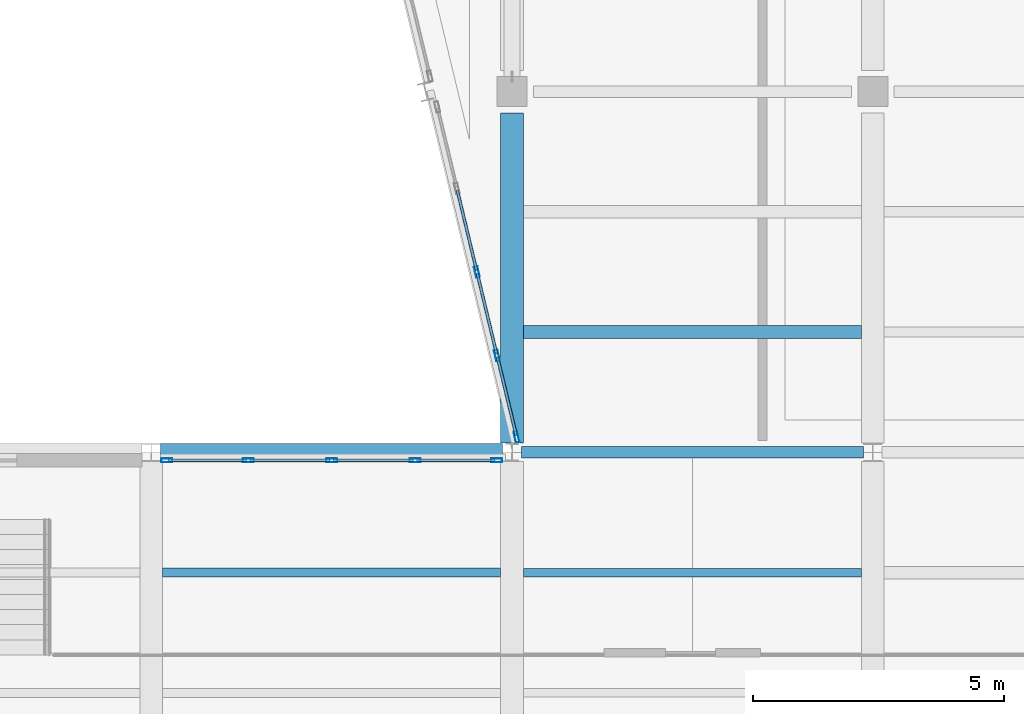
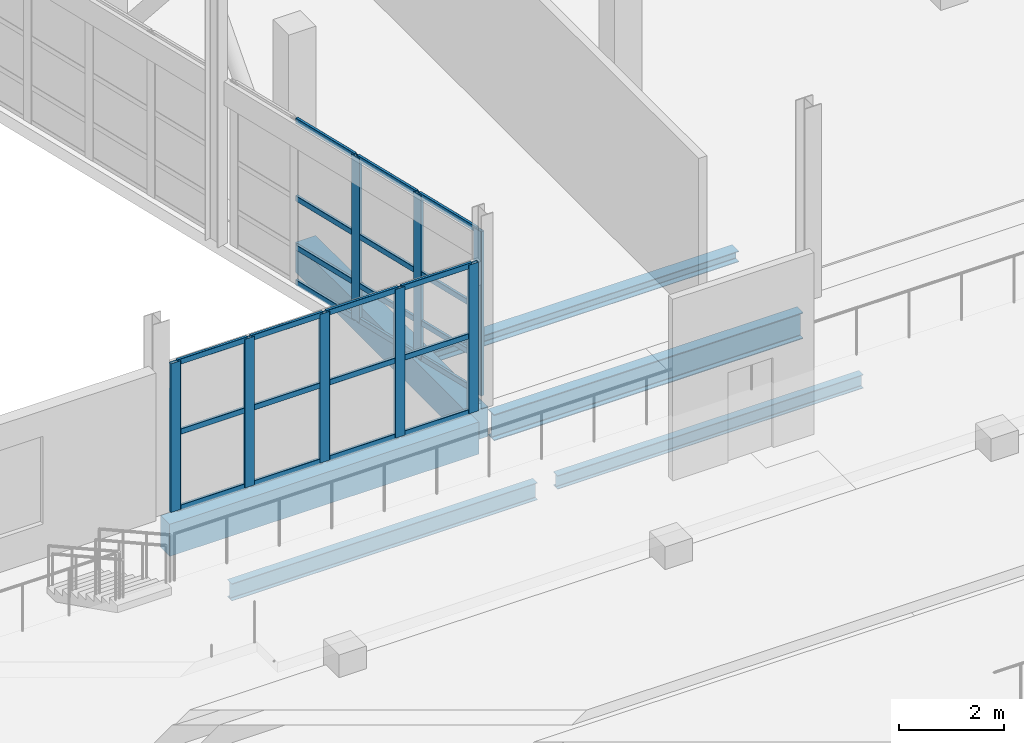
# One storey, part 59 of 123: 32 members, 6 beams, 2 elements without a shape of their own.
"""IFC4 building model written with IfcOpenShell, lengths in metres."""

from ifc_helpers import new_model, si_unit, direction, frame, origin, origin_2d, place, context, subcontext, project, spatial, rectangle, hollow_rectangle, i_section, extrude, material, material_profile, profile_set, type_object, element, aggregate, save


model = new_model("IFC4")

# Units and contexts
model_context = context("Model", 3, precision=1e-05, world=origin(), true_north=direction((0.0, 1.0)))
body_context = subcontext(model_context, "Body", "Model", "MODEL_VIEW")
ifc_project = project(units=[si_unit("LENGTHUNIT", "METRE"), si_unit("AREAUNIT", "SQUARE_METRE"), si_unit("VOLUMEUNIT", "CUBIC_METRE"), si_unit("PLANEANGLEUNIT", "RADIAN"), si_unit("MASSUNIT", "GRAM", prefix="KILO")], contexts=[model_context])

# Site, building, storey
site_placement = place(None, origin())
site = spatial("IfcSite", under=ifc_project, at=site_placement, CompositionType="ELEMENT")
building_placement = place(site_placement, origin())
building = spatial("IfcBuilding", under=site, at=building_placement, Name="Kalmorath City Hall", CompositionType="ELEMENT")
storey_placement = place(building_placement, frame((0.0, 0.0, 10.199951171875)))
storey = spatial("IfcBuildingStorey", under=building, at=storey_placement, Name="L02", CompositionType="ELEMENT", Elevation=10.199951171875)

# Beam
ifc_material_1 = material(Name="Concrete C40/50", Category="concrete")
ifc_material_profile_1 = material_profile(ifc_material_1, rectangle(XDim=0.449951171875, YDim=0.699951171875, at=origin_2d()), Name="RC-BM-450X700")
ifc_profile_set_1 = profile_set([ifc_material_profile_1], Name="Concrete C40/50")
beam_type_1 = type_object("IfcBeamType", Name="Concrete floor beam 450x700", PredefinedType="BEAM", material=ifc_profile_set_1)
beam_1_placement = place(storey_placement, frame((136.800048828125, 43.385986328125, -0.634033203125), z_axis=(0.0, 1.0, 0.0), x_axis=(-1.0, 0.0, 0.0)))
element("IfcBeam", 1, at=beam_1_placement, inside=storey, type_object=beam_type_1, Name="L02 girder CB4 Y20/7-8", PredefinedType="BEAM", context=body_context, shape_type="SweptSolid", body=[
    extrude(rectangle(XDim=0.449951171875, YDim=0.699951171875, at=origin_2d()), origin(), (0.0, 0.0, 1.0), 6.589111328125),
])

# Curtain wall, members
ifc_material_2 = material(Name="Anodised aluminium and laminated glass", Category="aluminium")
curtain_wall_type_1 = type_object("IfcCurtainWallType", Name="Unitised hurricane curtain wall 6656x3471 M1850", PredefinedType="NOTDEFINED", material=ifc_material_2)
curtain_wall_1_placement = place(storey_placement, origin())
curtain_wall_1 = element("IfcCurtainWall", 2, at=curtain_wall_1_placement, inside=storey, type_object=curtain_wall_type_1, Name="L02 curtain wall CW-67X35M18 #124", PredefinedType="NOTDEFINED")
ifc_material_3 = material(Name="Anodised aluminium framing", Category="aluminium")
ifc_material_profile_2 = material_profile(ifc_material_3, hollow_rectangle(XDim=0.06005859375, YDim=0.1298828125, WallThickness=0.00341796875, InnerFilletRadius=0.00341796875, OuterFilletRadius=0.007080078125, at=origin_2d()), Name="ALU-TRN-130X60X3.5")
ifc_profile_set_2 = profile_set([ifc_material_profile_2], Name="Anodised aluminium framing")
member_type_1 = type_object("IfcMemberType", Name="Curtain-wall courtyard transom 130x60", PredefinedType="USERDEFINED", material=ifc_profile_set_2)
member_1_placement = place(storey_placement, frame((129.949462890625, 43.0400390625, 0.030029296875), z_axis=(1.0, 0.0, 0.0), x_axis=(0.0, 1.0, 0.0)))
member_1 = element("IfcMember", 3, at=member_1_placement, type_object=member_type_1, Name="CW-67X35M18 transom 1.1", ObjectType="TRANSOM", PredefinedType="USERDEFINED", context=body_context, shape_type="SweptSolid", body=[
    extrude(hollow_rectangle(XDim=0.06005859375, YDim=0.1298828125, WallThickness=0.00341796875, InnerFilletRadius=0.00341796875, OuterFilletRadius=0.007080078125, at=origin_2d()), origin(), (0.0, 0.0, 1.0), 1.551513671875),
])
member_2_placement = place(storey_placement, frame((129.949462890625, 43.0400390625, 1.804931640625), z_axis=(1.0, 0.0, 0.0), x_axis=(0.0, 1.0, 0.0)))
member_2 = element("IfcMember", 4, at=member_2_placement, type_object=member_type_1, Name="CW-67X35M18 transom 1.2", ObjectType="TRANSOM", PredefinedType="USERDEFINED", context=body_context, shape_type="SweptSolid", body=[
    extrude(hollow_rectangle(XDim=0.06005859375, YDim=0.1298828125, WallThickness=0.00341796875, InnerFilletRadius=0.00341796875, OuterFilletRadius=0.007080078125, at=origin_2d()), origin(), (0.0, 0.0, 1.0), 1.551513671875),
])
member_3_placement = place(storey_placement, frame((129.949462890625, 43.0400390625, 3.441162109375), z_axis=(1.0, 0.0, 0.0), x_axis=(0.0, 1.0, 0.0)))
member_3 = element("IfcMember", 5, at=member_3_placement, type_object=member_type_1, Name="CW-67X35M18 transom 1.3", ObjectType="TRANSOM", PredefinedType="USERDEFINED", context=body_context, shape_type="SweptSolid", body=[
    extrude(hollow_rectangle(XDim=0.06005859375, YDim=0.1298828125, WallThickness=0.00341796875, InnerFilletRadius=0.00341796875, OuterFilletRadius=0.007080078125, at=origin_2d()), origin(), (0.0, 0.0, 1.0), 1.551513671875),
])
member_4_placement = place(storey_placement, frame((131.575927734375, 43.0400390625, 0.030029296875), z_axis=(1.0, 0.0, 0.0), x_axis=(0.0, 1.0, 0.0)))
member_4 = element("IfcMember", 6, at=member_4_placement, type_object=member_type_1, Name="CW-67X35M18 transom 2.1", ObjectType="TRANSOM", PredefinedType="USERDEFINED", context=body_context, shape_type="SweptSolid", body=[
    extrude(hollow_rectangle(XDim=0.06005859375, YDim=0.1298828125, WallThickness=0.00341796875, InnerFilletRadius=0.00341796875, OuterFilletRadius=0.007080078125, at=origin_2d()), origin(), (0.0, 0.0, 1.0), 1.5888671875),
])
member_5_placement = place(storey_placement, frame((131.575927734375, 43.0400390625, 1.804931640625), z_axis=(1.0, 0.0, 0.0), x_axis=(0.0, 1.0, 0.0)))
member_5 = element("IfcMember", 7, at=member_5_placement, type_object=member_type_1, Name="CW-67X35M18 transom 2.2", ObjectType="TRANSOM", PredefinedType="USERDEFINED", context=body_context, shape_type="SweptSolid", body=[
    extrude(hollow_rectangle(XDim=0.06005859375, YDim=0.1298828125, WallThickness=0.00341796875, InnerFilletRadius=0.00341796875, OuterFilletRadius=0.007080078125, at=origin_2d()), origin(), (0.0, 0.0, 1.0), 1.5888671875),
])
member_6_placement = place(storey_placement, frame((131.575927734375, 43.0400390625, 3.441162109375), z_axis=(1.0, 0.0, 0.0), x_axis=(0.0, 1.0, 0.0)))
member_6 = element("IfcMember", 8, at=member_6_placement, type_object=member_type_1, Name="CW-67X35M18 transom 2.3", ObjectType="TRANSOM", PredefinedType="USERDEFINED", context=body_context, shape_type="SweptSolid", body=[
    extrude(hollow_rectangle(XDim=0.06005859375, YDim=0.1298828125, WallThickness=0.00341796875, InnerFilletRadius=0.00341796875, OuterFilletRadius=0.007080078125, at=origin_2d()), origin(), (0.0, 0.0, 1.0), 1.5888671875),
])
member_7_placement = place(storey_placement, frame((133.23974609375, 43.0400390625, 0.030029296875), z_axis=(1.0, 0.0, 0.0), x_axis=(0.0, 1.0, 0.0)))
member_7 = element("IfcMember", 9, at=member_7_placement, type_object=member_type_1, Name="CW-67X35M18 transom 3.1", ObjectType="TRANSOM", PredefinedType="USERDEFINED", context=body_context, shape_type="SweptSolid", body=[
    extrude(hollow_rectangle(XDim=0.06005859375, YDim=0.1298828125, WallThickness=0.00341796875, InnerFilletRadius=0.00341796875, OuterFilletRadius=0.007080078125, at=origin_2d()), origin(), (0.0, 0.0, 1.0), 1.5888671875),
])
member_8_placement = place(storey_placement, frame((133.23974609375, 43.0400390625, 1.804931640625), z_axis=(1.0, 0.0, 0.0), x_axis=(0.0, 1.0, 0.0)))
member_8 = element("IfcMember", 10, at=member_8_placement, type_object=member_type_1, Name="CW-67X35M18 transom 3.2", ObjectType="TRANSOM", PredefinedType="USERDEFINED", context=body_context, shape_type="SweptSolid", body=[
    extrude(hollow_rectangle(XDim=0.06005859375, YDim=0.1298828125, WallThickness=0.00341796875, InnerFilletRadius=0.00341796875, OuterFilletRadius=0.007080078125, at=origin_2d()), origin(), (0.0, 0.0, 1.0), 1.5888671875),
])
member_9_placement = place(storey_placement, frame((133.23974609375, 43.0400390625, 3.441162109375), z_axis=(1.0, 0.0, 0.0), x_axis=(0.0, 1.0, 0.0)))
member_9 = element("IfcMember", 11, at=member_9_placement, type_object=member_type_1, Name="CW-67X35M18 transom 3.3", ObjectType="TRANSOM", PredefinedType="USERDEFINED", context=body_context, shape_type="SweptSolid", body=[
    extrude(hollow_rectangle(XDim=0.06005859375, YDim=0.1298828125, WallThickness=0.00341796875, InnerFilletRadius=0.00341796875, OuterFilletRadius=0.007080078125, at=origin_2d()), origin(), (0.0, 0.0, 1.0), 1.5888671875),
])
member_10_placement = place(storey_placement, frame((134.903564453125, 43.0400390625, 0.030029296875), z_axis=(1.0, 0.0, 0.0), x_axis=(0.0, 1.0, 0.0)))
member_10 = element("IfcMember", 12, at=member_10_placement, type_object=member_type_1, Name="CW-67X35M18 transom 4.1", ObjectType="TRANSOM", PredefinedType="USERDEFINED", context=body_context, shape_type="SweptSolid", body=[
    extrude(hollow_rectangle(XDim=0.06005859375, YDim=0.1298828125, WallThickness=0.00341796875, InnerFilletRadius=0.00341796875, OuterFilletRadius=0.007080078125, at=origin_2d()), origin(), (0.0, 0.0, 1.0), 1.551513671875),
])
member_11_placement = place(storey_placement, frame((134.903564453125, 43.0400390625, 1.804931640625), z_axis=(1.0, 0.0, 0.0), x_axis=(0.0, 1.0, 0.0)))
member_11 = element("IfcMember", 13, at=member_11_placement, type_object=member_type_1, Name="CW-67X35M18 transom 4.2", ObjectType="TRANSOM", PredefinedType="USERDEFINED", context=body_context, shape_type="SweptSolid", body=[
    extrude(hollow_rectangle(XDim=0.06005859375, YDim=0.1298828125, WallThickness=0.00341796875, InnerFilletRadius=0.00341796875, OuterFilletRadius=0.007080078125, at=origin_2d()), origin(), (0.0, 0.0, 1.0), 1.551513671875),
])
member_12_placement = place(storey_placement, frame((134.903564453125, 43.0400390625, 3.441162109375), z_axis=(1.0, 0.0, 0.0), x_axis=(0.0, 1.0, 0.0)))
member_12 = element("IfcMember", 14, at=member_12_placement, type_object=member_type_1, Name="CW-67X35M18 transom 4.3", ObjectType="TRANSOM", PredefinedType="USERDEFINED", context=body_context, shape_type="SweptSolid", body=[
    extrude(hollow_rectangle(XDim=0.06005859375, YDim=0.1298828125, WallThickness=0.00341796875, InnerFilletRadius=0.00341796875, OuterFilletRadius=0.007080078125, at=origin_2d()), origin(), (0.0, 0.0, 1.0), 1.551513671875),
])

ifc_material_4 = material(Name="Anodised aluminium and laminated glass", Category="aluminium")
curtain_wall_type_2 = type_object("IfcCurtainWallType", Name="Unitised hurricane curtain wall 6849x3835 M1850", PredefinedType="NOTDEFINED", material=ifc_material_4)
curtain_wall_2_placement = place(storey_placement, origin())
curtain_wall_2 = element("IfcCurtainWall", 15, at=curtain_wall_2_placement, inside=storey, type_object=curtain_wall_type_2, Name="L02 curtain wall CW-68X38M18 #125", PredefinedType="NOTDEFINED")
member_13_placement = place(storey_placement, frame((136.882080078125, 43.54296875, 0.030029296875), z_axis=(-0.233332550128, 0.972396997656, 0.0), x_axis=(-0.972396997656, -0.233332550128, 0.0)))
member_13 = element("IfcMember", 16, at=member_13_placement, type_object=member_type_1, Name="CW-68X38M18 transom 1.1", ObjectType="TRANSOM", PredefinedType="USERDEFINED", context=body_context, shape_type="SweptSolid", body=[
    extrude(hollow_rectangle(XDim=0.06005859375, YDim=0.1298828125, WallThickness=0.00341796875, InnerFilletRadius=0.00341796875, OuterFilletRadius=0.007080078125, at=origin_2d()), origin(), (0.0, 0.0, 1.0), 1.599853515625),
])
member_14_placement = place(storey_placement, frame((136.882080078125, 43.54296875, 0.85009765625), z_axis=(-0.233332550128, 0.972396997656, 0.0), x_axis=(-0.972396997656, -0.233332550128, 0.0)))
member_14 = element("IfcMember", 17, at=member_14_placement, type_object=member_type_1, Name="CW-68X38M18 transom 1.2", ObjectType="TRANSOM", PredefinedType="USERDEFINED", context=body_context, shape_type="SweptSolid", body=[
    extrude(hollow_rectangle(XDim=0.06005859375, YDim=0.1298828125, WallThickness=0.00341796875, InnerFilletRadius=0.00341796875, OuterFilletRadius=0.007080078125, at=origin_2d()), origin(), (0.0, 0.0, 1.0), 1.599853515625),
])
member_15_placement = place(storey_placement, frame((136.882080078125, 43.54296875, 1.994140625), z_axis=(-0.233332550128, 0.972396997656, 0.0), x_axis=(-0.972396997656, -0.233332550128, 0.0)))
member_15 = element("IfcMember", 18, at=member_15_placement, type_object=member_type_1, Name="CW-68X38M18 transom 1.3", ObjectType="TRANSOM", PredefinedType="USERDEFINED", context=body_context, shape_type="SweptSolid", body=[
    extrude(hollow_rectangle(XDim=0.06005859375, YDim=0.1298828125, WallThickness=0.00341796875, InnerFilletRadius=0.00341796875, OuterFilletRadius=0.007080078125, at=origin_2d()), origin(), (0.0, 0.0, 1.0), 1.599853515625),
])
member_16_placement = place(storey_placement, frame((136.882080078125, 43.54296875, 3.804931640625), z_axis=(-0.233332550128, 0.972396997656, 0.0), x_axis=(-0.972396997656, -0.233332550128, 0.0)))
member_16 = element("IfcMember", 19, at=member_16_placement, type_object=member_type_1, Name="CW-68X38M18 transom 1.4", ObjectType="TRANSOM", PredefinedType="USERDEFINED", context=body_context, shape_type="SweptSolid", body=[
    extrude(hollow_rectangle(XDim=0.06005859375, YDim=0.1298828125, WallThickness=0.00341796875, InnerFilletRadius=0.00341796875, OuterFilletRadius=0.007080078125, at=origin_2d()), origin(), (0.0, 0.0, 1.0), 1.599853515625),
])
member_17_placement = place(storey_placement, frame((136.4912109375, 45.17138671875, 0.030029296875), z_axis=(-0.233508300868, 0.972354808404, 0.0), x_axis=(-0.972354808404, -0.233508300868, 0.0)))
member_17 = element("IfcMember", 20, at=member_17_placement, type_object=member_type_1, Name="CW-68X38M18 transom 2.1", ObjectType="TRANSOM", PredefinedType="USERDEFINED", context=body_context, shape_type="SweptSolid", body=[
    extrude(hollow_rectangle(XDim=0.06005859375, YDim=0.1298828125, WallThickness=0.00341796875, InnerFilletRadius=0.00341796875, OuterFilletRadius=0.007080078125, at=origin_2d()), origin(), (0.0, 0.0, 1.0), 1.63720703125),
])
member_18_placement = place(storey_placement, frame((136.4912109375, 45.17138671875, 0.85009765625), z_axis=(-0.233508300868, 0.972354808404, 0.0), x_axis=(-0.972354808404, -0.233508300868, 0.0)))
member_18 = element("IfcMember", 21, at=member_18_placement, type_object=member_type_1, Name="CW-68X38M18 transom 2.2", ObjectType="TRANSOM", PredefinedType="USERDEFINED", context=body_context, shape_type="SweptSolid", body=[
    extrude(hollow_rectangle(XDim=0.06005859375, YDim=0.1298828125, WallThickness=0.00341796875, InnerFilletRadius=0.00341796875, OuterFilletRadius=0.007080078125, at=origin_2d()), origin(), (0.0, 0.0, 1.0), 1.63720703125),
])
member_19_placement = place(storey_placement, frame((136.4912109375, 45.17138671875, 1.994140625), z_axis=(-0.233508300868, 0.972354808404, 0.0), x_axis=(-0.972354808404, -0.233508300868, 0.0)))
member_19 = element("IfcMember", 22, at=member_19_placement, type_object=member_type_1, Name="CW-68X38M18 transom 2.3", ObjectType="TRANSOM", PredefinedType="USERDEFINED", context=body_context, shape_type="SweptSolid", body=[
    extrude(hollow_rectangle(XDim=0.06005859375, YDim=0.1298828125, WallThickness=0.00341796875, InnerFilletRadius=0.00341796875, OuterFilletRadius=0.007080078125, at=origin_2d()), origin(), (0.0, 0.0, 1.0), 1.63720703125),
])
member_20_placement = place(storey_placement, frame((136.4912109375, 45.17138671875, 3.804931640625), z_axis=(-0.233508300868, 0.972354808404, 0.0), x_axis=(-0.972354808404, -0.233508300868, 0.0)))
member_20 = element("IfcMember", 23, at=member_20_placement, type_object=member_type_1, Name="CW-68X38M18 transom 2.4", ObjectType="TRANSOM", PredefinedType="USERDEFINED", context=body_context, shape_type="SweptSolid", body=[
    extrude(hollow_rectangle(XDim=0.06005859375, YDim=0.1298828125, WallThickness=0.00341796875, InnerFilletRadius=0.00341796875, OuterFilletRadius=0.007080078125, at=origin_2d()), origin(), (0.0, 0.0, 1.0), 1.63720703125),
])
member_21_placement = place(storey_placement, frame((136.091552734375, 46.83642578125, 0.030029296875), z_axis=(-0.233508300868, 0.972354808404, 0.0), x_axis=(-0.972354808404, -0.233508300868, 0.0)))
member_21 = element("IfcMember", 24, at=member_21_placement, type_object=member_type_1, Name="CW-68X38M18 transom 3.1", ObjectType="TRANSOM", PredefinedType="USERDEFINED", context=body_context, shape_type="SweptSolid", body=[
    extrude(hollow_rectangle(XDim=0.06005859375, YDim=0.1298828125, WallThickness=0.00341796875, InnerFilletRadius=0.00341796875, OuterFilletRadius=0.007080078125, at=origin_2d()), origin(), (0.0, 0.0, 1.0), 1.63720703125),
])
member_22_placement = place(storey_placement, frame((136.091552734375, 46.83642578125, 0.85009765625), z_axis=(-0.233508300868, 0.972354808404, 0.0), x_axis=(-0.972354808404, -0.233508300868, 0.0)))
member_22 = element("IfcMember", 25, at=member_22_placement, type_object=member_type_1, Name="CW-68X38M18 transom 3.2", ObjectType="TRANSOM", PredefinedType="USERDEFINED", context=body_context, shape_type="SweptSolid", body=[
    extrude(hollow_rectangle(XDim=0.06005859375, YDim=0.1298828125, WallThickness=0.00341796875, InnerFilletRadius=0.00341796875, OuterFilletRadius=0.007080078125, at=origin_2d()), origin(), (0.0, 0.0, 1.0), 1.63720703125),
])
member_23_placement = place(storey_placement, frame((136.091552734375, 46.83642578125, 1.994140625), z_axis=(-0.233508300868, 0.972354808404, 0.0), x_axis=(-0.972354808404, -0.233508300868, 0.0)))
member_23 = element("IfcMember", 26, at=member_23_placement, type_object=member_type_1, Name="CW-68X38M18 transom 3.3", ObjectType="TRANSOM", PredefinedType="USERDEFINED", context=body_context, shape_type="SweptSolid", body=[
    extrude(hollow_rectangle(XDim=0.06005859375, YDim=0.1298828125, WallThickness=0.00341796875, InnerFilletRadius=0.00341796875, OuterFilletRadius=0.007080078125, at=origin_2d()), origin(), (0.0, 0.0, 1.0), 1.63720703125),
])
member_24_placement = place(storey_placement, frame((136.091552734375, 46.83642578125, 3.804931640625), z_axis=(-0.233508300868, 0.972354808404, 0.0), x_axis=(-0.972354808404, -0.233508300868, 0.0)))
member_24 = element("IfcMember", 27, at=member_24_placement, type_object=member_type_1, Name="CW-68X38M18 transom 3.4", ObjectType="TRANSOM", PredefinedType="USERDEFINED", context=body_context, shape_type="SweptSolid", body=[
    extrude(hollow_rectangle(XDim=0.06005859375, YDim=0.1298828125, WallThickness=0.00341796875, InnerFilletRadius=0.00341796875, OuterFilletRadius=0.007080078125, at=origin_2d()), origin(), (0.0, 0.0, 1.0), 1.63720703125),
])

# Member
ifc_material_5 = material(Name="Anodised aluminium framing", Category="aluminium")
ifc_material_profile_3 = material_profile(ifc_material_5, hollow_rectangle(XDim=0.074951171875, YDim=0.219970703125, WallThickness=0.00390625, InnerFilletRadius=0.00390625, OuterFilletRadius=0.008056640625, at=origin_2d()), Name="ALU-MUL-220X75X4")
ifc_profile_set_3 = profile_set([ifc_material_profile_3], Name="Anodised aluminium framing")
member_type_2 = type_object("IfcMemberType", Name="Curtain-wall primary mullion 220x75", PredefinedType="MULLION", material=ifc_profile_set_3)
member_25_placement = place(storey_placement, frame((129.912109375, 43.0400390625, 0.0), z_axis=(0.0, 0.0, 1.0), x_axis=(0.0, 1.0, 0.0)))
member_25 = element("IfcMember", 28, at=member_25_placement, type_object=member_type_2, Name="CW-67X35M18 mullion 1", PredefinedType="MULLION", context=body_context, shape_type="SweptSolid", body=[
    extrude(hollow_rectangle(XDim=0.074951171875, YDim=0.219970703125, WallThickness=0.00390625, InnerFilletRadius=0.00390625, OuterFilletRadius=0.008056640625, at=origin_2d()), origin(), (0.0, 0.0, 1.0), 3.470947265625),
])

member_26_placement = place(storey_placement, frame((131.538330078125, 43.0400390625, 0.0), z_axis=(0.0, 0.0, 1.0), x_axis=(0.0, 1.0, 0.0)))
member_26 = element("IfcMember", 29, at=member_26_placement, type_object=member_type_2, Name="CW-67X35M18 mullion 2", PredefinedType="MULLION", context=body_context, shape_type="SweptSolid", body=[
    extrude(hollow_rectangle(XDim=0.074951171875, YDim=0.219970703125, WallThickness=0.00390625, InnerFilletRadius=0.00390625, OuterFilletRadius=0.008056640625, at=origin_2d()), origin(), (0.0, 0.0, 1.0), 3.470947265625),
])

member_27_placement = place(storey_placement, frame((133.2021484375, 43.0400390625, 0.0), z_axis=(0.0, 0.0, 1.0), x_axis=(0.0, 1.0, 0.0)))
member_27 = element("IfcMember", 30, at=member_27_placement, type_object=member_type_2, Name="CW-67X35M18 mullion 3", PredefinedType="MULLION", context=body_context, shape_type="SweptSolid", body=[
    extrude(hollow_rectangle(XDim=0.074951171875, YDim=0.219970703125, WallThickness=0.00390625, InnerFilletRadius=0.00390625, OuterFilletRadius=0.008056640625, at=origin_2d()), origin(), (0.0, 0.0, 1.0), 3.470947265625),
])

member_28_placement = place(storey_placement, frame((134.8662109375, 43.0400390625, 0.0), z_axis=(0.0, 0.0, 1.0), x_axis=(0.0, 1.0, 0.0)))
member_28 = element("IfcMember", 31, at=member_28_placement, type_object=member_type_2, Name="CW-67X35M18 mullion 4", PredefinedType="MULLION", context=body_context, shape_type="SweptSolid", body=[
    extrude(hollow_rectangle(XDim=0.074951171875, YDim=0.219970703125, WallThickness=0.00390625, InnerFilletRadius=0.00390625, OuterFilletRadius=0.008056640625, at=origin_2d()), origin(), (0.0, 0.0, 1.0), 3.470947265625),
])

member_29_placement = place(storey_placement, frame((136.492431640625, 43.0400390625, 0.0), z_axis=(0.0, 0.0, 1.0), x_axis=(0.0, 1.0, 0.0)))
member_29 = element("IfcMember", 32, at=member_29_placement, type_object=member_type_2, Name="CW-67X35M18 mullion 5", PredefinedType="MULLION", context=body_context, shape_type="SweptSolid", body=[
    extrude(hollow_rectangle(XDim=0.074951171875, YDim=0.219970703125, WallThickness=0.00390625, InnerFilletRadius=0.00390625, OuterFilletRadius=0.008056640625, at=origin_2d()), origin(), (0.0, 0.0, 1.0), 3.470947265625),
])

aggregate(curtain_wall_1, [member_25, member_26, member_27, member_28, member_29, member_1, member_2, member_3, member_4, member_5, member_6, member_7, member_8, member_9, member_10, member_11, member_12])

member_30_placement = place(storey_placement, frame((136.890869140625, 43.50634765625, 0.0), z_axis=(0.0, 0.0, 1.0), x_axis=(-0.97236741933, -0.233455781305, 0.0)))
member_30 = element("IfcMember", 33, at=member_30_placement, type_object=member_type_2, Name="CW-68X38M18 mullion 1", PredefinedType="MULLION", context=body_context, shape_type="SweptSolid", body=[
    extrude(hollow_rectangle(XDim=0.074951171875, YDim=0.219970703125, WallThickness=0.00390625, InnerFilletRadius=0.00390625, OuterFilletRadius=0.008056640625, at=origin_2d()), origin(), (0.0, 0.0, 1.0), 3.8349609375),
])

member_31_placement = place(storey_placement, frame((136.5, 45.135009765625, 0.0), z_axis=(0.0, 0.0, 1.0), x_axis=(-0.97236741933, -0.233455781305, 0.0)))
member_31 = element("IfcMember", 34, at=member_31_placement, type_object=member_type_2, Name="CW-68X38M18 mullion 2", PredefinedType="MULLION", context=body_context, shape_type="SweptSolid", body=[
    extrude(hollow_rectangle(XDim=0.074951171875, YDim=0.219970703125, WallThickness=0.00390625, InnerFilletRadius=0.00390625, OuterFilletRadius=0.008056640625, at=origin_2d()), origin(), (0.0, 0.0, 1.0), 3.8349609375),
])

member_32_placement = place(storey_placement, frame((136.10009765625, 46.800048828125, 0.0), z_axis=(0.0, 0.0, 1.0), x_axis=(-0.97236741933, -0.233455781305, 0.0)))
member_32 = element("IfcMember", 35, at=member_32_placement, type_object=member_type_2, Name="CW-68X38M18 mullion 3", PredefinedType="MULLION", context=body_context, shape_type="SweptSolid", body=[
    extrude(hollow_rectangle(XDim=0.074951171875, YDim=0.219970703125, WallThickness=0.00390625, InnerFilletRadius=0.00390625, OuterFilletRadius=0.008056640625, at=origin_2d()), origin(), (0.0, 0.0, 1.0), 3.8349609375),
])

aggregate(curtain_wall_2, [member_30, member_31, member_32, member_13, member_14, member_15, member_16, member_17, member_18, member_19, member_20, member_21, member_22, member_23, member_24])

# Beams
ifc_material_6 = material(Name="Precast concrete C40/50", Category="concrete")
ifc_material_profile_4 = material_profile(ifc_material_6, rectangle(XDim=0.35009765625, YDim=0.75, at=origin_2d()), Name="PC-SP-350X750")
ifc_profile_set_4 = profile_set([ifc_material_profile_4], Name="Precast concrete C40/50")
beam_type_2 = type_object("IfcBeamType", Name="Precast spandrel lintel 350x750", PredefinedType="LINTEL", material=ifc_profile_set_4)
beam_2_placement = place(storey_placement, frame((129.787109375, 43.199951171875, -0.658935546875), z_axis=(1.0, 0.0, 0.0), x_axis=(0.0, 1.0, 0.0)))
element("IfcBeam", 36, at=beam_2_placement, inside=storey, type_object=beam_type_2, Name="L02 girder PSB1 X19-20/7", PredefinedType="LINTEL", context=body_context, shape_type="SweptSolid", body=[
    extrude(rectangle(XDim=0.35009765625, YDim=0.75, at=origin_2d()), origin(), (0.0, 0.0, 1.0), 6.825927734375),
])
ifc_material_7 = material(Name="Steel ASTM A992 Grade 50", Category="steel")
ifc_material_profile_5 = material_profile(ifc_material_7, i_section(OverallWidth=0.177001953125, OverallDepth=0.403076171875, WebThickness=0.007568359375, FlangeThickness=0.010986328125, FilletRadius=0.012939453125, at=origin_2d()), Name="W16X36")
ifc_profile_set_5 = profile_set([ifc_material_profile_5], Name="Steel ASTM A992 Grade 50")
beam_type_3 = type_object("IfcBeamType", Name="Steel composite joist W16X36", PredefinedType="JOIST", material=ifc_profile_set_5)
beam_3_placement = place(storey_placement, frame((129.824951171875, 40.800048828125, -0.4853515625), z_axis=(1.0, 0.0, 0.0), x_axis=(0.0, 1.0, 0.0)))
element("IfcBeam", 37, at=beam_3_placement, inside=storey, type_object=beam_type_3, Name="L02 joist SJ7 19.6.2", PredefinedType="JOIST", context=body_context, shape_type="SweptSolid", body=[
    extrude(i_section(OverallWidth=0.177001953125, OverallDepth=0.403076171875, WebThickness=0.007568359375, FlangeThickness=0.010986328125, FilletRadius=0.012939453125, at=origin_2d()), origin(), (0.0, 0.0, 1.0), 6.75),
])
ifc_material_8 = material(Name="Steel ASTM A992 Grade 50", Category="steel")
ifc_material_profile_6 = material_profile(ifc_material_8, i_section(OverallWidth=0.22900390625, OverallDepth=0.612060546875, WebThickness=0.011962890625, FlangeThickness=0.01953125, FilletRadius=0.01611328125, at=origin_2d()), Name="W24X84")
ifc_profile_set_6 = profile_set([ifc_material_profile_6], Name="Steel ASTM A992 Grade 50")
beam_type_4 = type_object("IfcBeamType", Name="Steel floor girder W24X84", PredefinedType="BEAM", material=ifc_profile_set_6)
beam_4_placement = place(storey_placement, frame((136.987060546875, 43.199951171875, -0.58984375), z_axis=(1.0, 0.0, 0.0), x_axis=(0.0, 1.0, 0.0)))
element("IfcBeam", 38, at=beam_4_placement, inside=storey, type_object=beam_type_4, Name="L02 girder SG8 X20-21/7", PredefinedType="BEAM", context=body_context, shape_type="SweptSolid", body=[
    extrude(i_section(OverallWidth=0.22900390625, OverallDepth=0.612060546875, WebThickness=0.011962890625, FlangeThickness=0.01953125, FilletRadius=0.01611328125, at=origin_2d()), origin(), (0.0, 0.0, 1.0), 6.825927734375),
])
ifc_material_9 = material(Name="Steel ASTM A992 Grade 50", Category="steel")
ifc_material_profile_7 = material_profile(ifc_material_9, i_section(OverallWidth=0.1669921875, OverallDepth=0.318115234375, WebThickness=0.007568359375, FlangeThickness=0.01318359375, FilletRadius=0.012939453125, at=origin_2d()), Name="W12X35")
ifc_profile_set_7 = profile_set([ifc_material_profile_7], Name="Steel ASTM A992 Grade 50")
beam_type_5 = type_object("IfcBeamType", Name="Steel header lintel W12X35", PredefinedType="LINTEL", material=ifc_profile_set_7)
beam_5_placement = place(storey_placement, frame((137.02490234375, 40.800048828125, -0.44287109375), z_axis=(1.0, 0.0, 0.0), x_axis=(0.0, 1.0, 0.0)))
element("IfcBeam", 39, at=beam_5_placement, inside=storey, type_object=beam_type_5, Name="L02 joist SJ13 20.6.2", PredefinedType="LINTEL", context=body_context, shape_type="SweptSolid", body=[
    extrude(i_section(OverallWidth=0.1669921875, OverallDepth=0.318115234375, WebThickness=0.007568359375, FlangeThickness=0.01318359375, FilletRadius=0.012939453125, at=origin_2d()), origin(), (0.0, 0.0, 1.0), 6.75),
])
ifc_material_10 = material(Name="Steel ASTM A992 Grade 50", Category="steel")
ifc_material_profile_8 = material_profile(ifc_material_10, i_section(OverallWidth=0.25390625, OverallDepth=0.2529296875, WebThickness=0.008544921875, FlangeThickness=0.01416015625, FilletRadius=0.011962890625, at=origin_2d()), Name="W10X49")
ifc_profile_set_8 = profile_set([ifc_material_profile_8], Name="Steel ASTM A992 Grade 50")
beam_type_6 = type_object("IfcBeamType", Name="Steel trimmer beam W10X49", PredefinedType="BEAM", material=ifc_profile_set_8)
beam_6_placement = place(storey_placement, frame((137.02490234375, 45.60009765625, -0.410400390625), z_axis=(1.0, 0.0, 0.0), x_axis=(0.0, 1.0, 0.0)))
element("IfcBeam", 40, at=beam_6_placement, inside=storey, type_object=beam_type_6, Name="L02 joist SJ14 20.7.1", PredefinedType="BEAM", context=body_context, shape_type="SweptSolid", body=[
    extrude(i_section(OverallWidth=0.25390625, OverallDepth=0.2529296875, WebThickness=0.008544921875, FlangeThickness=0.01416015625, FilletRadius=0.011962890625, at=origin_2d()), origin(), (0.0, 0.0, 1.0), 6.75),
])

save(model, "model.ifc")
